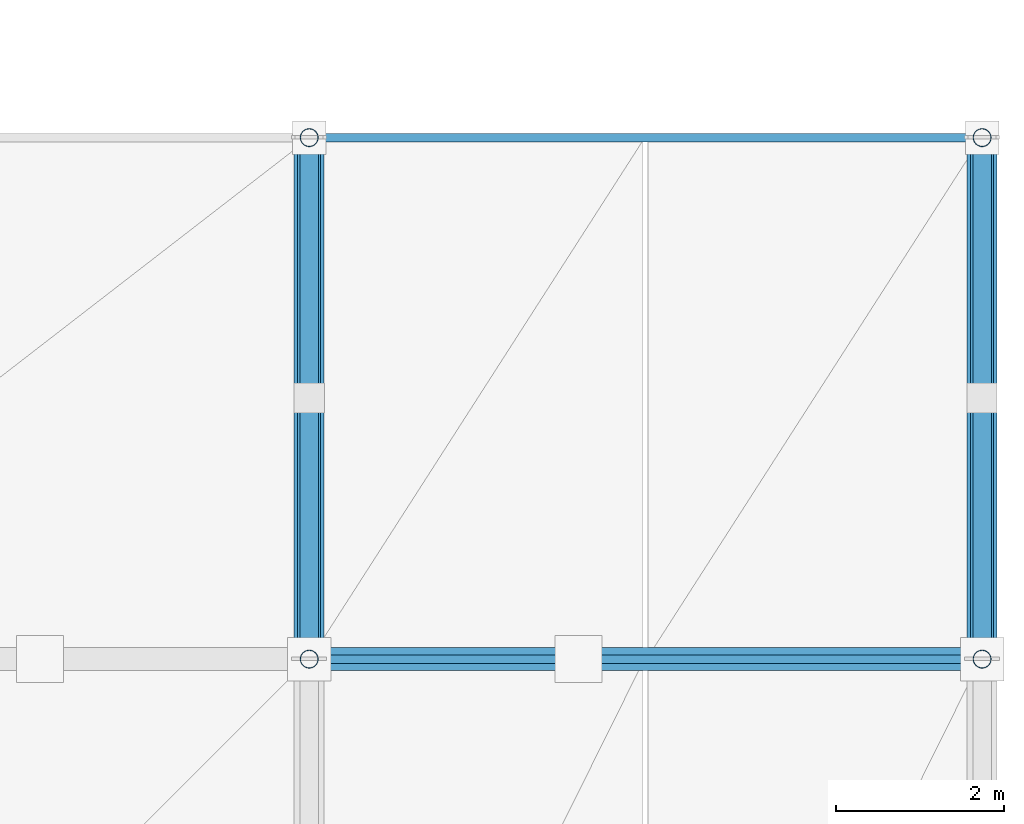
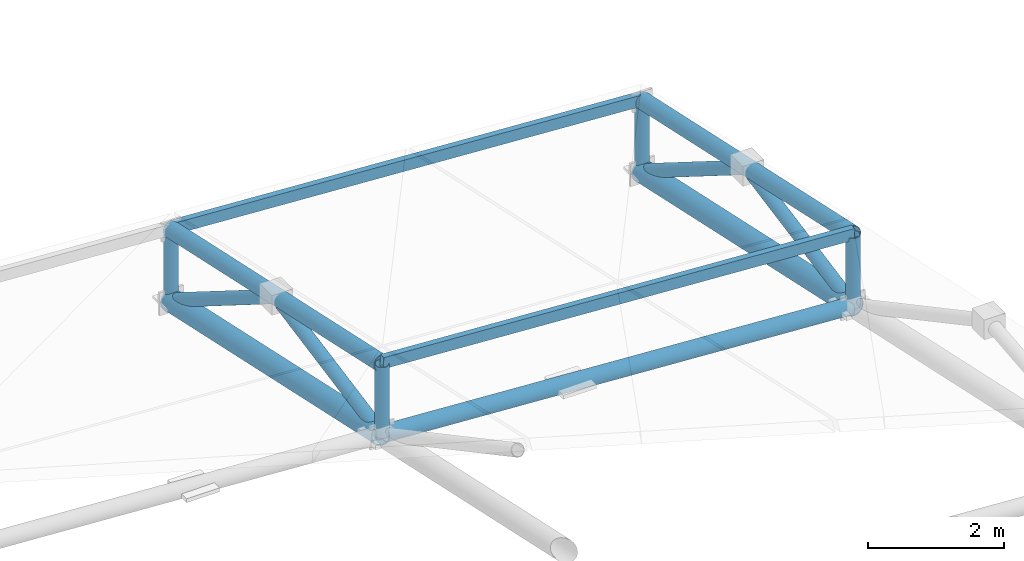
# One storey, part 44 of 83: 12 members, 3 beams.
"""IFC4 building model written with IfcOpenShell, lengths in metres."""

from ifc_helpers import new_model, si_unit, direction, frame, origin, origin_2d, place, context, subcontext, project, spatial, hollow_rectangle, hollow_circle, extrude, material, material_profile, profile_set, type_object, element, save


model = new_model("IFC4")

# Units and contexts
model_context = context("Model", 3, precision=1e-05, world=origin(), true_north=direction((0.0, 1.0)))
body_context = subcontext(model_context, "Body", "Model", "MODEL_VIEW")
ifc_project = project(units=[si_unit("LENGTHUNIT", "METRE"), si_unit("AREAUNIT", "SQUARE_METRE"), si_unit("VOLUMEUNIT", "CUBIC_METRE"), si_unit("PLANEANGLEUNIT", "RADIAN"), si_unit("MASSUNIT", "GRAM", prefix="KILO")], contexts=[model_context])

# Site, building, storey
site_placement = place(None, origin())
site = spatial("IfcSite", under=ifc_project, at=site_placement, CompositionType="ELEMENT")
building_placement = place(site_placement, origin())
building = spatial("IfcBuilding", under=site, at=building_placement, Name="Drelvath Fold Interchange", CompositionType="ELEMENT")
storey_placement = place(building_placement, frame((0.0, 0.0, 11.199951171875)))
storey = spatial("IfcBuildingStorey", under=building, at=storey_placement, Name="L02", CompositionType="ELEMENT", Elevation=11.199951171875)

# Members
ifc_material = material(Name="Steel ASTM A500 Grade C", Category="steel")
ifc_material_profile_1 = material_profile(ifc_material, hollow_rectangle(XDim=0.10205078125, YDim=0.202880859375, WallThickness=0.00732421875, at=origin_2d()), Name="HSS8X4X5/16")
ifc_profile_set_1 = profile_set([ifc_material_profile_1], Name="Steel ASTM A500 Grade C")
member_type_1 = type_object("IfcMemberType", Name="PR-HSS203", PredefinedType="PURLIN", material=ifc_profile_set_1)
for number, where, z_axis, x_axis, name in (
    (1, (166.0, 67.0, 3.9521484375), (0.998195874016, 0.0, -0.060041628042), (0.0, 1.0, 0.0), "L02 Space frame canopy purlin PR-HSS203"),
    (2, (166.0, 73.199951171875, 2.60107421875), (0.998190392734, 0.0, -0.060132685402), (0.0, 1.0, 0.0), "L02 Space frame canopy purlin PR-HSS203"),
):
    element("IfcMember", number, at=place(storey_placement, frame(where, z_axis=z_axis, x_axis=x_axis)), inside=storey, type_object=member_type_1, Name=name, PredefinedType="PURLIN", context=body_context, shape_type="SweptSolid", body=[
        extrude(hollow_rectangle(XDim=0.10205078125, YDim=0.202880859375, WallThickness=0.00732421875, at=origin_2d()), origin(), (0.0, 0.0, 1.0), 8.014404296875),
    ])
ifc_material_profile_2 = material_profile(ifc_material, hollow_circle(Radius=0.136474609375, WallThickness=0.01171875, at=origin_2d()), Name="HSS10.750X0.500")
ifc_profile_set_2 = profile_set([ifc_material_profile_2], Name="Steel ASTM A500 Grade C")
member_type_2 = type_object("IfcMemberType", Name="SF-CHD273", PredefinedType="CHORD", material=ifc_profile_set_2)
member_1_placement = place(storey_placement, frame((166.0, 67.0, 3.920166015625), z_axis=(0.0, 0.977069636285, -0.212919998708), x_axis=(-1.0, 0.0, 0.0)))
element("IfcMember", 3, at=member_1_placement, inside=storey, type_object=member_type_2, Name="L02 Space frame roof truss upper chord SF-CHD273", PredefinedType="CHORD", context=body_context, shape_type="SweptSolid", body=[
    extrude(hollow_circle(Radius=0.136474609375, WallThickness=0.01171875, at=origin_2d()), origin(), (0.0, 0.0, 1.0), 6.345458984375),
])
member_2_placement = place(storey_placement, frame((174.0, 67.0, 3.43896484375), z_axis=(0.0, 0.977045617988, -0.213030186525), x_axis=(-1.0, 0.0, 0.0)))
element("IfcMember", 4, at=member_2_placement, inside=storey, type_object=member_type_2, Name="L02 Space frame roof truss upper chord SF-CHD273", PredefinedType="CHORD", context=body_context, shape_type="SweptSolid", body=[
    extrude(hollow_circle(Radius=0.136474609375, WallThickness=0.01171875, at=origin_2d()), origin(), (0.0, 0.0, 1.0), 6.345703125),
])

# Beams
ifc_material_profile_3 = material_profile(ifc_material, hollow_circle(Radius=0.177978515625, WallThickness=0.01171875, at=origin_2d()), Name="HSS14.000X0.500")
ifc_profile_set_3 = profile_set([ifc_material_profile_3], Name="Steel ASTM A500 Grade C")
beam_type_1 = type_object("IfcBeamType", Name="SF-RIB356", PredefinedType="BEAM", material=ifc_profile_set_3)
beam_1_placement = place(storey_placement, frame((166.0, 67.0, 2.650146484375), z_axis=(0.0, 0.977069636285, -0.212919998708), x_axis=(-1.0, 0.0, 0.0)))
element("IfcBeam", 5, at=beam_1_placement, inside=storey, type_object=beam_type_1, Name="Space frame roof truss main rib chord EAST", PredefinedType="BEAM", context=body_context, shape_type="SweptSolid", body=[
    extrude(hollow_circle(Radius=0.177978515625, WallThickness=0.01171875, at=origin_2d()), origin(), (0.0, 0.0, 1.0), 6.345458984375),
])
beam_2_placement = place(storey_placement, frame((174.0, 67.0, 2.1689453125), z_axis=(0.0, 0.977045617988, -0.213030186525), x_axis=(-1.0, 0.0, 0.0)))
element("IfcBeam", 6, at=beam_2_placement, inside=storey, type_object=beam_type_1, Name="Space frame roof truss main rib chord EAST", PredefinedType="BEAM", context=body_context, shape_type="SweptSolid", body=[
    extrude(hollow_circle(Radius=0.177978515625, WallThickness=0.01171875, at=origin_2d()), origin(), (0.0, 0.0, 1.0), 6.345703125),
])
ifc_material_profile_4 = material_profile(ifc_material, hollow_circle(Radius=0.136474609375, WallThickness=0.01171875, at=origin_2d()), Name="HSS10.750X0.500")
ifc_profile_set_4 = profile_set([ifc_material_profile_4], Name="Steel ASTM A500 Grade C")
beam_type_2 = type_object("IfcBeamType", Name="SF-TIE273", PredefinedType="BEAM", material=ifc_profile_set_4)
beam_3_placement = place(storey_placement, frame((166.050048828125, 67.0, 2.650146484375), z_axis=(0.99814999272, 0.0, -0.060799605527), x_axis=(0.0, 1.0, 0.0)))
element("IfcBeam", 7, at=beam_3_placement, inside=storey, type_object=beam_type_2, Name="Space frame roof truss longitudinal tie EAST", PredefinedType="BEAM", context=body_context, shape_type="SweptSolid", body=[
    extrude(hollow_circle(Radius=0.136474609375, WallThickness=0.01171875, at=origin_2d()), origin(), (0.0, 0.0, 1.0), 7.91455078125),
])

# Members
ifc_material_profile_5 = material_profile(ifc_material, hollow_circle(Radius=0.109619140625, WallThickness=0.0087890625, at=origin_2d()), Name="HSS8.625X0.375")
ifc_profile_set_5 = profile_set([ifc_material_profile_5], Name="Steel ASTM A500 Grade C")
member_type_3 = type_object("IfcMemberType", Name="SF-WEB219", PredefinedType="BRACE", material=ifc_profile_set_5)
member_3_placement = place(storey_placement, frame((166.0, 67.0, 2.650146484375), z_axis=(0.0, 0.982076989305, 0.188480203413), x_axis=(-1.0, 0.0, 0.0)))
element("IfcMember", 8, at=member_3_placement, inside=storey, type_object=member_type_3, Name="L02 Space frame roof truss web brace SF-WEB219", PredefinedType="BRACE", context=body_context, shape_type="SweptSolid", body=[
    extrude(hollow_circle(Radius=0.109619140625, WallThickness=0.0087890625, at=origin_2d()), origin(), (0.0, 0.0, 1.0), 3.15673828125),
])
member_4_placement = place(storey_placement, frame((166.0, 70.10009765625, 3.2451171875), z_axis=(0.0, 0.84693609346, -0.531694699612), x_axis=(-1.0, 0.0, 0.0)))
element("IfcMember", 9, at=member_4_placement, inside=storey, type_object=member_type_3, Name="L02 Space frame roof truss web brace SF-WEB219", PredefinedType="BRACE", context=body_context, shape_type="SweptSolid", body=[
    extrude(hollow_circle(Radius=0.109619140625, WallThickness=0.0087890625, at=origin_2d()), origin(), (0.0, 0.0, 1.0), 3.66015625),
])
for number, where, z_axis, x_axis, name in (
    (10, (166.0, 67.0, 2.650146484375), (0.0, 0.0, 1.0), (1.0, 0.0, 0.0), "L02 Space frame roof truss web brace SF-WEB219"),
    (11, (166.0, 73.199951171875, 1.299072265625), (0.0, 0.0, 1.0), (1.0, 0.0, 0.0), "L02 Space frame roof truss web brace SF-WEB219"),
):
    element("IfcMember", number, at=place(storey_placement, frame(where, z_axis=z_axis, x_axis=x_axis)), inside=storey, type_object=member_type_3, Name=name, PredefinedType="BRACE", context=body_context, shape_type="SweptSolid", body=[
        extrude(hollow_circle(Radius=0.109619140625, WallThickness=0.0087890625, at=origin_2d()), origin(), (0.0, 0.0, 1.0), 1.27001953125),
    ])
member_5_placement = place(storey_placement, frame((174.0, 67.0, 2.1689453125), z_axis=(0.0, 0.982134211284, 0.188181803123), x_axis=(-1.0, 0.0, 0.0)))
element("IfcMember", 12, at=member_5_placement, inside=storey, type_object=member_type_3, Name="L02 Space frame roof truss web brace SF-WEB219", PredefinedType="BRACE", context=body_context, shape_type="SweptSolid", body=[
    extrude(hollow_circle(Radius=0.109619140625, WallThickness=0.0087890625, at=origin_2d()), origin(), (0.0, 0.0, 1.0), 3.156494140625),
])
member_6_placement = place(storey_placement, frame((174.0, 70.10009765625, 2.762939453125), z_axis=(0.0, 0.846966130584, -0.531646850497), x_axis=(-1.0, 0.0, 0.0)))
element("IfcMember", 13, at=member_6_placement, inside=storey, type_object=member_type_3, Name="L02 Space frame roof truss web brace SF-WEB219", PredefinedType="BRACE", context=body_context, shape_type="SweptSolid", body=[
    extrude(hollow_circle(Radius=0.109619140625, WallThickness=0.0087890625, at=origin_2d()), origin(), (0.0, 0.0, 1.0), 3.659912109375),
])
for number, where, z_axis, x_axis, name in (
    (14, (174.0, 67.0, 2.1689453125), (0.0, 0.0, 1.0), (1.0, 0.0, 0.0), "L02 Space frame roof truss web brace SF-WEB219"),
    (15, (174.0, 73.199951171875, 0.817138671875), (0.0, 0.0, 1.0), (1.0, 0.0, 0.0), "L02 Space frame roof truss web brace SF-WEB219"),
):
    element("IfcMember", number, at=place(storey_placement, frame(where, z_axis=z_axis, x_axis=x_axis)), inside=storey, type_object=member_type_3, Name=name, PredefinedType="BRACE", context=body_context, shape_type="SweptSolid", body=[
        extrude(hollow_circle(Radius=0.109619140625, WallThickness=0.0087890625, at=origin_2d()), origin(), (0.0, 0.0, 1.0), 1.27001953125),
    ])

save(model, "model.ifc")
